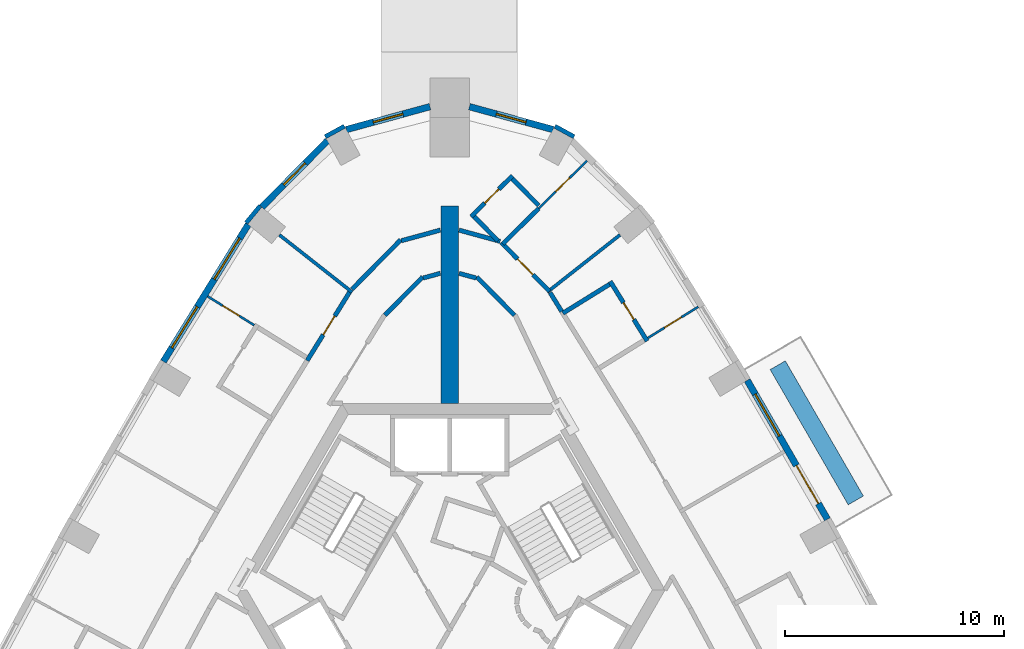
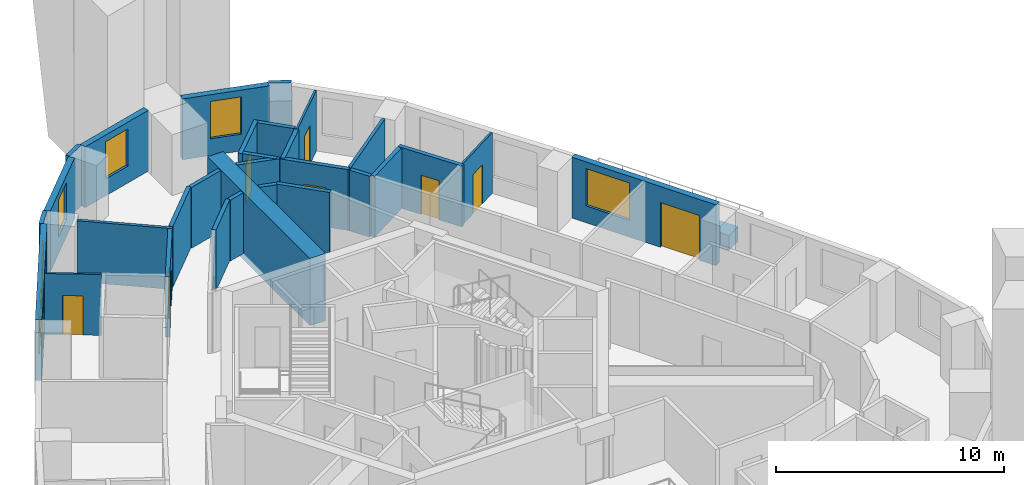
# One storey, part 8 of 11: 31 walls, 8 doors, 6 windows, 14 openings.
"""IFC4 building model written with IfcOpenShell, lengths in metres."""

from ifc_helpers import new_model, si_unit, direction, frame, frame_2d, origin, place, context, subcontext, project, spatial, rectangle, extrude, material, layer, layer_set, type_object, element, fill, save


model = new_model("IFC4")

# Units and contexts
model_context = context("Model", 3, precision=1e-05, world=origin(), true_north=direction((0.0, 1.0)))
body_context = subcontext(model_context, "Body", "Model", "MODEL_VIEW")
ifc_project = project(units=[si_unit("LENGTHUNIT", "METRE"), si_unit("AREAUNIT", "SQUARE_METRE"), si_unit("VOLUMEUNIT", "CUBIC_METRE"), si_unit("PLANEANGLEUNIT", "RADIAN"), si_unit("MASSUNIT", "GRAM", prefix="KILO")], contexts=[model_context])

# Site, building, storey
site_placement = place(None, origin())
site = spatial("IfcSite", under=ifc_project, at=site_placement, CompositionType="ELEMENT")
building_placement = place(site_placement, origin())
building = spatial("IfcBuilding", under=site, at=building_placement, Name="Entoto Arch Interchange Tower", CompositionType="ELEMENT")
storey_placement = place(building_placement, frame((0.0, 0.0, 297.199951171875)))
storey = spatial("IfcBuildingStorey", under=building, at=storey_placement, Name="L69", CompositionType="ELEMENT", Elevation=297.199951171875)

# Wall
ifc_material_1 = material(Name="Concrete C40/50", Category="concrete")
ifc_layer_1 = layer(ifc_material_1, 0.800048828125)
ifc_layer_set_1 = layer_set([ifc_layer_1], Name="Concrete C40/50")
wall_type_1 = type_object("IfcWallType", Name="Buttress wall 800 C40/50", PredefinedType="SHEAR", material=ifc_layer_set_1)
wall_1_placement = place(storey_placement, frame((0.0, 11.0, -0.33984375), z_axis=(0.0, 0.0, 1.0), x_axis=(0.0, 1.0, 0.0)))
element("IfcWall", 1, at=wall_1_placement, inside=storey, type_object=wall_type_1, Name="Buttress wall N L69", PredefinedType="SHEAR", context=body_context, shape_type="SweptSolid", body=[
    extrude(rectangle(XDim=9.0, YDim=0.800048828125, at=frame_2d((4.5, 0.0))), origin(), (0.0, 0.0, 1.0), 3.599853515625),
])

# Wall, opening, door
ifc_material_2 = material(Name="Gypsum board partition on steel studs", Category="steel")
ifc_layer_2 = layer(ifc_material_2, 0.10009765625)
ifc_layer_set_2 = layer_set([ifc_layer_2], Name="Gypsum board partition on steel studs")
wall_type_2 = type_object("IfcWallType", Name="PARTITION 100", PredefinedType="PARTITIONING", material=ifc_layer_set_2)
wall_2_placement = place(storey_placement, frame((9.031005859375, 13.97900390625, 0.0), z_axis=(0.0, 0.0, 1.0), x_axis=(0.85032680557, 0.526254998768, 0.0)))
wall_2 = element("IfcWall", 2, at=wall_2_placement, inside=storey, type_object=wall_type_2, Name="wall:L69:p104", PredefinedType="PARTITIONING", context=body_context, shape_type="SweptSolid", body=[
    extrude(rectangle(XDim=2.699951171875, YDim=0.10009765625, at=frame_2d((1.35009765625, 0.0))), origin(), (0.0, 0.0, 1.0), 3.260009765625),
])
opening_1_placement = place(wall_2_placement, frame((0.89990234375, 0.0, 0.0)))
opening_1 = element("IfcOpeningElement", 3, at=opening_1_placement, cuts=wall_2, Name="Opening L69-D10", PredefinedType="OPENING", context=body_context, shape_type="SweptSolid", body=[
    extrude(rectangle(XDim=0.89990234375, YDim=2.10009765625, at=frame_2d((0.449951171875, 1.050048828125))), frame((0.0, 0.06005859375, 0.0), z_axis=(0.0, -1.0, 0.0), x_axis=(1.0, 0.0, 0.0)), (0.0, 0.0, 1.0), 0.1201171875),
])
ifc_material_3 = material(Name="Timber door leaf in Steel S235 frame", Category="steel")
door_type_1 = type_object("IfcDoorType", Name="DOOR DS-09 900x2100", OperationType="SINGLE_SWING_LEFT", PredefinedType="DOOR", material=ifc_material_3)
door_1_placement = place(opening_1_placement, origin())
door_1 = element("IfcDoor", 4, at=door_1_placement, inside=storey, type_object=door_type_1, Name="door:L69:10", OperationType="SINGLE_SWING_LEFT", OverallHeight=2.10009765625, OverallWidth=0.89990234375, PredefinedType="DOOR", context=body_context, shape_type="SweptSolid", body=[
    extrude(rectangle(XDim=0.89990234375, YDim=2.10009765625, at=frame_2d((0.449951171875, 1.050048828125))), frame((0.0, 0.02490234375, 0.0), z_axis=(0.0, -1.0, 0.0), x_axis=(1.0, 0.0, 0.0)), (0.0, 0.0, 1.0), 0.050048828125),
])
fill(opening_1, door_1)

wall_3_placement = place(storey_placement, frame((4.052978515625, 19.881103515625, 0.0), z_axis=(0.0, 0.0, 1.0), x_axis=(0.711776071152, 0.702406452516, 0.0)))
wall_3 = element("IfcWall", 5, at=wall_3_placement, inside=storey, type_object=wall_type_2, Name="wall:L69:p109", PredefinedType="PARTITIONING", context=body_context, shape_type="SweptSolid", body=[
    extrude(rectangle(XDim=3.100830078125, YDim=0.10009765625, at=frame_2d((1.55029296875, 0.0))), origin(), (0.0, 0.0, 1.0), 3.260009765625),
])
opening_2_placement = place(wall_3_placement, frame((1.10009765625, 0.0, 0.0)))
opening_2 = element("IfcOpeningElement", 6, at=opening_2_placement, cuts=wall_3, Name="Opening L69-D13", PredefinedType="OPENING", context=body_context, shape_type="SweptSolid", body=[
    extrude(rectangle(XDim=0.89990234375, YDim=2.10009765625, at=frame_2d((0.449951171875, 1.050048828125))), frame((0.0, 0.06005859375, 0.0), z_axis=(0.0, -1.0, 0.0), x_axis=(1.0, 0.0, 0.0)), (0.0, 0.0, 1.0), 0.1201171875),
])
door_2_placement = place(opening_2_placement, origin())
door_2 = element("IfcDoor", 7, at=door_2_placement, inside=storey, type_object=door_type_1, Name="door:L69:13", OperationType="SINGLE_SWING_LEFT", OverallHeight=2.10009765625, OverallWidth=0.89990234375, PredefinedType="DOOR", context=body_context, shape_type="SweptSolid", body=[
    extrude(rectangle(XDim=0.89990234375, YDim=2.10009765625, at=frame_2d((0.449951171875, 1.050048828125))), frame((0.0, 0.02490234375, 0.0), z_axis=(0.0, -1.0, 0.0), x_axis=(1.0, 0.0, 0.0)), (0.0, 0.0, 1.0), 0.050048828125),
])
fill(opening_2, door_2)

wall_4_placement = place(storey_placement, frame((-8.906005859375, 14.56201171875, 0.0), z_axis=(0.0, 0.0, 1.0), x_axis=(-0.850186034224, 0.526482390219, 0.0)))
wall_4 = element("IfcWall", 8, at=wall_4_placement, inside=storey, type_object=wall_type_2, Name="wall:L69:p115", PredefinedType="PARTITIONING", context=body_context, shape_type="SweptSolid", body=[
    extrude(rectangle(XDim=2.49951171875, YDim=0.10009765625, at=frame_2d((1.249755859375, 0.0))), origin(), (0.0, 0.0, 1.0), 3.260009765625),
])
opening_3_placement = place(wall_4_placement, frame((0.800048828125, 0.0, 0.0)))
opening_3 = element("IfcOpeningElement", 9, at=opening_3_placement, cuts=wall_4, Name="Opening L69-D16", PredefinedType="OPENING", context=body_context, shape_type="SweptSolid", body=[
    extrude(rectangle(XDim=0.89990234375, YDim=2.10009765625, at=frame_2d((0.449951171875, 1.050048828125))), frame((0.0, 0.06005859375, 0.0), z_axis=(0.0, -1.0, 0.0), x_axis=(1.0, 0.0, 0.0)), (0.0, 0.0, 1.0), 0.1201171875),
])
door_3_placement = place(opening_3_placement, origin())
door_3 = element("IfcDoor", 10, at=door_3_placement, inside=storey, type_object=door_type_1, Name="door:L69:16", OperationType="SINGLE_SWING_LEFT", OverallHeight=2.10009765625, OverallWidth=0.89990234375, PredefinedType="DOOR", context=body_context, shape_type="SweptSolid", body=[
    extrude(rectangle(XDim=0.89990234375, YDim=2.10009765625, at=frame_2d((0.449951171875, 1.050048828125))), frame((0.0, 0.02490234375, 0.0), z_axis=(0.0, -1.0, 0.0), x_axis=(1.0, 0.0, 0.0)), (0.0, 0.0, 1.0), 0.050048828125),
])
fill(opening_3, door_3)

# Walls
ifc_layer_3 = layer(ifc_material_2, 0.14990234375)
ifc_layer_set_3 = layer_set([ifc_layer_3], Name="Gypsum board partition on steel studs")
wall_type_3 = type_object("IfcWallType", Name="PARTITION 150", PredefinedType="PARTITIONING", material=ifc_layer_set_3)
for number, where, z_axis, x_axis, name in (
    (11, (4.445068359375, 16.068115234375, 0.0), (0.0, 0.0, 1.0), (0.785872006963, 0.618389188677, 0.0), "wall:L69:p108"),
    (12, (-4.445068359375, 16.068115234375, 0.0), (0.0, 0.0, 1.0), (-0.785872006963, 0.618389188677, 0.0), "wall:L69:p114"),
):
    element("IfcWall", number, at=place(storey_placement, frame(where, z_axis=z_axis, x_axis=x_axis)), inside=storey, type_object=wall_type_3, Name=name, PredefinedType="PARTITIONING", context=body_context, shape_type="SweptSolid", body=[
        extrude(rectangle(XDim=4.215576171875, YDim=0.14990234375, at=frame_2d((2.10791015625, 0.0))), origin(), (0.0, 0.0, 1.0), 3.260009765625),
    ])
ifc_layer_4 = layer(ifc_material_2, 0.199951171875)
ifc_layer_set_4 = layer_set([ifc_layer_4], Name="Gypsum board partition on steel studs")
wall_type_4 = type_object("IfcWallType", Name="PARTITION 200", PredefinedType="PARTITIONING", material=ifc_layer_set_4)
wall_5_placement = place(storey_placement, frame((2.950927734375, 15.01904296875, 0.0), z_axis=(0.0, 0.0, 1.0), x_axis=(-0.702341227034, 0.711840432126, 0.0)))
element("IfcWall", 13, at=wall_5_placement, inside=storey, type_object=wall_type_4, Name="wall:L69:p006", PredefinedType="PARTITIONING", context=body_context, shape_type="SweptSolid", body=[
    extrude(rectangle(XDim=2.441650390625, YDim=0.199951171875, at=frame_2d((1.220703125, 0.0))), origin(), (0.0, 0.0, 1.0), 3.260009765625),
])
wall_6_placement = place(storey_placement, frame((1.208984375, 16.7119140625, 0.0), z_axis=(0.0, 0.0, 1.0), x_axis=(-0.964583129746, 0.26377904733, 0.0)))
element("IfcWall", 14, at=wall_6_placement, inside=storey, type_object=wall_type_4, Name="wall:L69:p007", PredefinedType="PARTITIONING", context=body_context, shape_type="SweptSolid", body=[
    extrude(rectangle(XDim=0.811767578125, YDim=0.199951171875, at=frame_2d((0.40576171875, 0.0))), origin(), (0.0, 0.0, 1.0), 3.260009765625),
])
wall_7_placement = place(storey_placement, frame((-0.426025390625, 16.927001953125, 0.0), z_axis=(0.0, 0.0, 1.0), x_axis=(-0.964276465753, -0.264897900321, 0.0)))
element("IfcWall", 15, at=wall_7_placement, inside=storey, type_object=wall_type_4, Name="wall:L69:p008", PredefinedType="PARTITIONING", context=body_context, shape_type="SweptSolid", body=[
    extrude(rectangle(XDim=0.81201171875, YDim=0.199951171875, at=frame_2d((0.406005859375, 0.0))), origin(), (0.0, 0.0, 1.0), 3.260009765625),
])
wall_8_placement = place(storey_placement, frame((-1.236083984375, 16.757080078125, 0.0), z_axis=(0.0, 0.0, 1.0), x_axis=(-0.702341227034, -0.711840432126, 0.0)))
element("IfcWall", 16, at=wall_8_placement, inside=storey, type_object=wall_type_4, Name="wall:L69:p009", PredefinedType="PARTITIONING", context=body_context, shape_type="SweptSolid", body=[
    extrude(rectangle(XDim=2.441650390625, YDim=0.199951171875, at=frame_2d((1.220703125, 0.0))), origin(), (0.0, 0.0, 1.0), 3.260009765625),
])
wall_9_placement = place(storey_placement, frame((4.576904296875, 16.044921875, 0.0), z_axis=(0.0, 0.0, 1.0), x_axis=(0.526203576349, -0.850358628014, 0.0)))
element("IfcWall", 17, at=wall_9_placement, inside=storey, type_object=wall_type_4, Name="wall:L69:p042", PredefinedType="PARTITIONING", context=body_context, shape_type="SweptSolid", body=[
    extrude(rectangle(XDim=1.001708984375, YDim=0.199951171875, at=frame_2d((0.5009765625, 0.0))), origin(), (0.0, 0.0, 1.0), 3.260009765625),
])

# Wall, opening, door
wall_10_placement = place(storey_placement, frame((2.345947265625, 18.3359375, 0.0), z_axis=(0.0, 0.0, 1.0), x_axis=(0.702481985573, -0.711701524479, 0.0)))
wall_10 = element("IfcWall", 18, at=wall_10_placement, inside=storey, type_object=wall_type_4, Name="wall:L69:p044", PredefinedType="PARTITIONING", context=body_context, shape_type="SweptSolid", body=[
    extrude(rectangle(XDim=3.124755859375, YDim=0.199951171875, at=frame_2d((1.5625, 0.0))), origin(), (0.0, 0.0, 1.0), 3.260009765625),
])
opening_4_placement = place(wall_10_placement, frame((1.06201171875, 0.0, 0.0)))
opening_4 = element("IfcOpeningElement", 19, at=opening_4_placement, cuts=wall_10, Name="Opening L69-D12", PredefinedType="OPENING", context=body_context, shape_type="SweptSolid", body=[
    extrude(rectangle(XDim=1.0, YDim=2.10009765625, at=frame_2d((0.5, 1.050048828125))), frame((0.0, 0.10986328125, 0.0), z_axis=(0.0, -1.0, 0.0), x_axis=(1.0, 0.0, 0.0)), (0.0, 0.0, 1.0), 0.219970703125),
])
ifc_material_4 = material(Name="Fire-rated Steel S235 door and frame", Category="steel")
door_type_2 = type_object("IfcDoorType", Name="DOOR FD-10 1000x2100", OperationType="SINGLE_SWING_LEFT", PredefinedType="DOOR", material=ifc_material_4)
door_4_placement = place(opening_4_placement, origin())
door_4 = element("IfcDoor", 20, at=door_4_placement, inside=storey, type_object=door_type_2, Name="door:L69:12", OperationType="SINGLE_SWING_LEFT", OverallHeight=2.10009765625, OverallWidth=1.0, PredefinedType="DOOR", context=body_context, shape_type="SweptSolid", body=[
    extrude(rectangle(XDim=1.0, YDim=2.10009765625, at=frame_2d((0.5, 1.050048828125))), frame((0.0, 0.02490234375, 0.0), z_axis=(0.0, -1.0, 0.0), x_axis=(1.0, 0.0, 0.0)), (0.0, 0.0, 1.0), 0.050048828125),
])
fill(opening_4, door_4)

# Walls
wall_11_placement = place(storey_placement, frame((-4.4541015625, 16.200927734375, 0.0), z_axis=(0.0, 0.0, 1.0), x_axis=(0.702505657511, 0.711678158415, 0.0)))
element("IfcWall", 21, at=wall_11_placement, inside=storey, type_object=wall_type_4, Name="wall:L69:p045", PredefinedType="PARTITIONING", context=body_context, shape_type="SweptSolid", body=[
    extrude(rectangle(XDim=3.16748046875, YDim=0.199951171875, at=frame_2d((1.583740234375, 0.0))), origin(), (0.0, 0.0, 1.0), 3.260009765625),
])
wall_12_placement = place(storey_placement, frame((-2.202880859375, 18.409912109375, 0.0), z_axis=(0.0, 0.0, 1.0), x_axis=(0.964423583418, 0.264361781934, 0.0)))
element("IfcWall", 22, at=wall_12_placement, inside=storey, type_object=wall_type_4, Name="wall:L69:p046", PredefinedType="PARTITIONING", context=body_context, shape_type="SweptSolid", body=[
    extrude(rectangle(XDim=1.84228515625, YDim=0.199951171875, at=frame_2d((0.921142578125, 0.0))), origin(), (0.0, 0.0, 1.0), 3.260009765625),
])
wall_13_placement = place(storey_placement, frame((0.426025390625, 18.89599609375, 0.0), z_axis=(0.0, 0.0, 1.0), x_axis=(0.964522741234, -0.263999775838, 0.0)))
element("IfcWall", 23, at=wall_13_placement, inside=storey, type_object=wall_type_4, Name="wall:L69:p047", PredefinedType="PARTITIONING", context=body_context, shape_type="SweptSolid", body=[
    extrude(rectangle(XDim=1.94287109375, YDim=0.199951171875, at=frame_2d((0.971435546875, 0.0))), origin(), (0.0, 0.0, 1.0), 3.260009765625),
])

# Wall, opening, door
wall_14_placement = place(storey_placement, frame((-6.492919921875, 12.949951171875, 0.0), z_axis=(0.0, 0.0, 1.0), x_axis=(0.526432748426, 0.850216773173, 0.0)))
wall_14 = element("IfcWall", 24, at=wall_14_placement, inside=storey, type_object=wall_type_4, Name="wall:L69:p048", PredefinedType="PARTITIONING", context=body_context, shape_type="SweptSolid", body=[
    extrude(rectangle(XDim=3.764892578125, YDim=0.199951171875, at=frame_2d((1.88232421875, 0.0))), origin(), (0.0, 0.0, 1.0), 3.260009765625),
])
opening_5_placement = place(wall_14_placement, frame((1.383056640625, 0.0, 0.0)))
opening_5 = element("IfcOpeningElement", 25, at=opening_5_placement, cuts=wall_14, Name="Opening L69-D15", PredefinedType="OPENING", context=body_context, shape_type="SweptSolid", body=[
    extrude(rectangle(XDim=1.0, YDim=2.10009765625, at=frame_2d((0.5, 1.050048828125))), frame((0.0, 0.10986328125, 0.0), z_axis=(0.0, -1.0, 0.0), x_axis=(1.0, 0.0, 0.0)), (0.0, 0.0, 1.0), 0.219970703125),
])
door_5_placement = place(opening_5_placement, origin())
door_5 = element("IfcDoor", 26, at=door_5_placement, inside=storey, type_object=door_type_2, Name="door:L69:15", OperationType="SINGLE_SWING_LEFT", OverallHeight=2.10009765625, OverallWidth=1.0, PredefinedType="DOOR", context=body_context, shape_type="SweptSolid", body=[
    extrude(rectangle(XDim=1.0, YDim=2.10009765625, at=frame_2d((0.5, 1.050048828125))), frame((0.0, 0.02490234375, 0.0), z_axis=(0.0, -1.0, 0.0), x_axis=(1.0, 0.0, 0.0)), (0.0, 0.0, 1.0), 0.050048828125),
])
fill(opening_5, door_5)

wall_15_placement = place(storey_placement, frame((8.9990234375, 13.841064453125, 0.0), z_axis=(0.0, 0.0, 1.0), x_axis=(-0.526283695852, 0.850309044689, 0.0)))
wall_15 = element("IfcWall", 27, at=wall_15_placement, inside=storey, type_object=wall_type_4, Name="wall:L69:p106", PredefinedType="PARTITIONING", context=body_context, shape_type="SweptSolid", body=[
    extrude(rectangle(XDim=3.199951171875, YDim=0.199951171875, at=frame_2d((1.60009765625, 0.0))), origin(), (0.0, 0.0, 1.0), 3.260009765625),
])
opening_6_placement = place(wall_15_placement, frame((1.14990234375, 0.0, 0.0)))
opening_6 = element("IfcOpeningElement", 28, at=opening_6_placement, cuts=wall_15, Name="Opening L69-D11", PredefinedType="OPENING", context=body_context, shape_type="SweptSolid", body=[
    extrude(rectangle(XDim=0.89990234375, YDim=2.10009765625, at=frame_2d((0.449951171875, 1.050048828125))), frame((0.0, 0.10986328125, 0.0), z_axis=(0.0, -1.0, 0.0), x_axis=(1.0, 0.0, 0.0)), (0.0, 0.0, 1.0), 0.219970703125),
])
door_6_placement = place(opening_6_placement, origin())
door_6 = element("IfcDoor", 29, at=door_6_placement, inside=storey, type_object=door_type_1, Name="door:L69:11", OperationType="SINGLE_SWING_RIGHT", OverallHeight=2.10009765625, OverallWidth=0.89990234375, PredefinedType="DOOR", context=body_context, shape_type="SweptSolid", body=[
    extrude(rectangle(XDim=0.89990234375, YDim=2.10009765625, at=frame_2d((0.449951171875, 1.050048828125))), frame((0.0, 0.02490234375, 0.0), z_axis=(0.0, -1.0, 0.0), x_axis=(1.0, 0.0, 0.0)), (0.0, 0.0, 1.0), 0.050048828125),
])
fill(opening_6, door_6)

# Walls
wall_16_placement = place(storey_placement, frame((7.281982421875, 16.424072265625, 0.0), z_axis=(0.0, 0.0, 1.0), x_axis=(-0.850142312258, -0.526552987751, 0.0)))
element("IfcWall", 30, at=wall_16_placement, inside=storey, type_object=wall_type_4, Name="wall:L69:p107", PredefinedType="PARTITIONING", context=body_context, shape_type="SweptSolid", body=[
    extrude(rectangle(XDim=2.49951171875, YDim=0.199951171875, at=frame_2d((1.249755859375, 0.0))), origin(), (0.0, 0.0, 1.0), 3.260009765625),
])
wall_17_placement = place(storey_placement, frame((2.416015625, 18.264892578125, 0.0), z_axis=(0.0, 0.0, 1.0), x_axis=(0.71207765541, 0.702100714047, 0.0)))
element("IfcWall", 31, at=wall_17_placement, inside=storey, type_object=wall_type_4, Name="wall:L69:p110", PredefinedType="PARTITIONING", context=body_context, shape_type="SweptSolid", body=[
    extrude(rectangle(XDim=2.30029296875, YDim=0.199951171875, at=frame_2d((1.150146484375, 0.0))), origin(), (0.0, 0.0, 1.0), 3.260009765625),
])
wall_18_placement = place(storey_placement, frame((4.053955078125, 20.02197265625, 0.0), z_axis=(0.0, 0.0, 1.0), x_axis=(-0.702351102688, 0.711830688123, 0.0)))
element("IfcWall", 32, at=wall_18_placement, inside=storey, type_object=wall_type_4, Name="wall:L69:p111", PredefinedType="PARTITIONING", context=body_context, shape_type="SweptSolid", body=[
    extrude(rectangle(XDim=1.69970703125, YDim=0.199951171875, at=frame_2d((0.849853515625, 0.0))), origin(), (0.0, 0.0, 1.0), 3.260009765625),
])

# Wall, opening, door
wall_19_placement = place(storey_placement, frame((2.861083984375, 21.3740234375, 0.0), z_axis=(0.0, 0.0, 1.0), x_axis=(-0.711606122075, -0.702578626934, 0.0)))
wall_19 = element("IfcWall", 33, at=wall_19_placement, inside=storey, type_object=wall_type_4, Name="wall:L69:p112", PredefinedType="PARTITIONING", context=body_context, shape_type="SweptSolid", body=[
    extrude(rectangle(XDim=2.650390625, YDim=0.199951171875, at=frame_2d((1.3251953125, 0.0))), origin(), (0.0, 0.0, 1.0), 3.260009765625),
])
opening_7_placement = place(wall_19_placement, frame((0.875, 0.0, 0.0)))
opening_7 = element("IfcOpeningElement", 34, at=opening_7_placement, cuts=wall_19, Name="Opening L69-D14", PredefinedType="OPENING", context=body_context, shape_type="SweptSolid", body=[
    extrude(rectangle(XDim=0.89990234375, YDim=2.10009765625, at=frame_2d((0.449951171875, 1.050048828125))), frame((0.0, 0.10986328125, 0.0), z_axis=(0.0, -1.0, 0.0), x_axis=(1.0, 0.0, 0.0)), (0.0, 0.0, 1.0), 0.219970703125),
])
door_7_placement = place(opening_7_placement, origin())
door_7 = element("IfcDoor", 35, at=door_7_placement, inside=storey, type_object=door_type_1, Name="door:L69:14", OperationType="SINGLE_SWING_LEFT", OverallHeight=2.10009765625, OverallWidth=0.89990234375, PredefinedType="DOOR", context=body_context, shape_type="SweptSolid", body=[
    extrude(rectangle(XDim=0.89990234375, YDim=2.10009765625, at=frame_2d((0.449951171875, 1.050048828125))), frame((0.0, 0.02490234375, 0.0), z_axis=(0.0, -1.0, 0.0), x_axis=(1.0, 0.0, 0.0)), (0.0, 0.0, 1.0), 0.050048828125),
])
fill(opening_7, door_7)

# Walls
wall_20_placement = place(storey_placement, frame((1.115966796875, 19.510986328125, 0.0), z_axis=(0.0, 0.0, 1.0), x_axis=(0.702515837086, -0.711668109896, 0.0)))
element("IfcWall", 36, at=wall_20_placement, inside=storey, type_object=wall_type_4, Name="wall:L69:p113", PredefinedType="PARTITIONING", context=body_context, shape_type="SweptSolid", body=[
    extrude(rectangle(XDim=1.547119140625, YDim=0.199951171875, at=frame_2d((0.7734375, 0.0))), origin(), (0.0, 0.0, 1.0), 3.260009765625),
])
ifc_material_5 = material(Name="Board-marked precast concrete C50/60", Category="concrete")
ifc_layer_5 = layer(ifc_material_5, 0.800048828125)
ifc_layer_set_5 = layer_set([ifc_layer_5], Name="Board-marked precast concrete C50/60")
wall_type_5 = type_object("IfcWallType", Name="PLANTER RC 800 Vachellia abyssinica", PredefinedType="STANDARD", material=ifc_layer_set_5)
wall_21_placement = place(storey_placement, frame((18.508056640625, 6.577880859375, 0.0), z_axis=(0.0, 0.0, 1.0), x_axis=(-0.500043210338, 0.866000454847, 0.0)))
element("IfcWall", 37, at=wall_21_placement, inside=storey, type_object=wall_type_5, Name="Planter NE-02 L69", PredefinedType="STANDARD", context=body_context, shape_type="SweptSolid", body=[
    extrude(rectangle(XDim=7.115478515625, YDim=0.800048828125, at=frame_2d((3.5576171875, 0.0))), origin(), (0.0, 0.0, 1.0), 0.800048828125),
])

# Wall, openings, door, window
ifc_material_6 = material(Name="Welded tuff (ignimbrite) cladding, warm buff", Category="masonry")
ifc_layer_6 = layer(ifc_material_6, 0.300048828125)
ifc_layer_set_6 = layer_set([ifc_layer_6], Name="Welded tuff (ignimbrite) cladding, warm buff")
wall_type_6 = type_object("IfcWallType", Name="STONE INFILL WALL 300", PredefinedType="STANDARD", material=ifc_layer_set_6)
wall_22_placement = place(storey_placement, frame((17.215087890625, 5.717041015625, 0.0), z_axis=(0.0, 0.0, 1.0), x_axis=(-0.499905472729, 0.866079972252, 0.0)))
wall_22 = element("IfcWall", 38, at=wall_22_placement, inside=storey, type_object=wall_type_6, Name="Facade wall NE-02 L69", PredefinedType="STANDARD", context=body_context, shape_type="SweptSolid", body=[
    extrude(rectangle(XDim=7.3134765625, YDim=0.300048828125, at=frame_2d((3.65673828125, 0.0))), origin(), (0.0, 0.0, 1.0), 3.260009765625),
])
opening_8_placement = place(wall_22_placement, frame((0.827880859375, 0.0, 0.0)))
opening_8 = element("IfcOpeningElement", 39, at=opening_8_placement, cuts=wall_22, Name="Opening DB-NE-02-L69", PredefinedType="OPENING", context=body_context, shape_type="SweptSolid", body=[
    extrude(rectangle(XDim=2.0, YDim=2.39990234375, at=frame_2d((1.0, 1.199951171875))), frame((0.0, 0.16015625, 0.0), z_axis=(0.0, -1.0, 0.0), x_axis=(1.0, 0.0, 0.0)), (0.0, 0.0, 1.0), 0.320068359375),
])
opening_9_placement = place(wall_22_placement, frame((4.385009765625, 0.0, 0.89990234375)))
opening_9 = element("IfcOpeningElement", 40, at=opening_9_placement, cuts=wall_22, Name="Opening WH-A", PredefinedType="OPENING", context=body_context, shape_type="SweptSolid", body=[
    extrude(rectangle(XDim=2.199951171875, YDim=2.0, at=frame_2d((1.10009765625, 1.0))), frame((0.0, 0.16015625, 0.0), z_axis=(0.0, -1.0, 0.0), x_axis=(1.0, 0.0, 0.0)), (0.0, 0.0, 1.0), 0.320068359375),
])
ifc_material_7 = material(Name="Aluminium and clear glass, anodised", Category="aluminium")
door_type_3 = type_object("IfcDoorType", Name="BALCONY DOOR DB 2000x2400", OperationType="SLIDING_TO_LEFT", PredefinedType="DOOR", material=ifc_material_7)
door_8_placement = place(opening_8_placement, origin())
door_8 = element("IfcDoor", 41, at=door_8_placement, inside=storey, type_object=door_type_3, Name="Balcony door NE-02 L69", OperationType="SLIDING_TO_LEFT", OverallHeight=2.39990234375, OverallWidth=2.0, PredefinedType="DOOR", context=body_context, shape_type="SweptSolid", body=[
    extrude(rectangle(XDim=2.0, YDim=2.39990234375, at=frame_2d((1.0, 1.199951171875))), frame((0.0, 0.02490234375, 0.0), z_axis=(0.0, -1.0, 0.0), x_axis=(1.0, 0.0, 0.0)), (0.0, 0.0, 1.0), 0.050048828125),
])
fill(opening_8, door_8)
ifc_material_8 = material(Name="Clear glass, low-e double glazed", Category="glass")
window_type_1 = type_object("IfcWindowType", Name="WINDOW WH-A 2200x2000", PartitioningType="DOUBLE_PANEL_VERTICAL", PredefinedType="WINDOW", material=ifc_material_8)
window_1_placement = place(opening_9_placement, origin())
window_1 = element("IfcWindow", 42, at=window_1_placement, inside=storey, type_object=window_type_1, Name="Window WH-A NE-02 L69", OverallHeight=2.0, OverallWidth=2.199951171875, PartitioningType="SINGLE_PANEL", PredefinedType="WINDOW", context=body_context, shape_type="SweptSolid", body=[
    extrude(rectangle(XDim=2.199951171875, YDim=2.0, at=frame_2d((1.10009765625, 1.0))), frame((0.0, 0.030029296875, 0.0), z_axis=(0.0, -1.0, 0.0), x_axis=(1.0, 0.0, 0.0)), (0.0, 0.0, 1.0), 0.06005859375),
])
fill(opening_9, window_1)

# Wall, opening, window
wall_23_placement = place(storey_placement, frame((4.712890625, 23.47705078125, 0.0), z_axis=(0.0, 0.0, 1.0), x_axis=(-0.964521196932, 0.264005417877, 0.0)))
wall_23 = element("IfcWall", 43, at=wall_23_placement, inside=storey, type_object=wall_type_6, Name="Facade wall N-02 L69", PredefinedType="STANDARD", context=body_context, shape_type="SweptSolid", body=[
    extrude(rectangle(XDim=3.954345703125, YDim=0.300048828125, at=frame_2d((1.97705078125, 0.0))), origin(), (0.0, 0.0, 1.0), 3.260009765625),
])
opening_10_placement = place(wall_23_placement, frame((1.277099609375, 0.0, 0.89990234375)))
opening_10 = element("IfcOpeningElement", 44, at=opening_10_placement, cuts=wall_23, Name="Opening WH-B", PredefinedType="OPENING", context=body_context, shape_type="SweptSolid", body=[
    extrude(rectangle(XDim=1.39990234375, YDim=2.0, at=frame_2d((0.699951171875, 1.0))), frame((0.0, 0.16015625, 0.0), z_axis=(0.0, -1.0, 0.0), x_axis=(1.0, 0.0, 0.0)), (0.0, 0.0, 1.0), 0.320068359375),
])
window_type_2 = type_object("IfcWindowType", Name="WINDOW WH-B 1400x2000", PartitioningType="DOUBLE_PANEL_VERTICAL", PredefinedType="WINDOW", material=ifc_material_8)
window_2_placement = place(opening_10_placement, origin())
window_2 = element("IfcWindow", 45, at=window_2_placement, inside=storey, type_object=window_type_2, Name="Window WH-B N-02 L69", OverallHeight=2.0, OverallWidth=1.39990234375, PartitioningType="SINGLE_PANEL", PredefinedType="WINDOW", context=body_context, shape_type="SweptSolid", body=[
    extrude(rectangle(XDim=1.39990234375, YDim=2.0, at=frame_2d((0.699951171875, 1.0))), frame((0.0, 0.030029296875, 0.0), z_axis=(0.0, -1.0, 0.0), x_axis=(1.0, 0.0, 0.0)), (0.0, 0.0, 1.0), 0.06005859375),
])
fill(opening_10, window_2)

wall_24_placement = place(storey_placement, frame((-0.89892578125, 24.52099609375, 0.0), z_axis=(0.0, 0.0, 1.0), x_axis=(-0.964521196932, -0.264005417877, 0.0)))
wall_24 = element("IfcWall", 46, at=wall_24_placement, inside=storey, type_object=wall_type_6, Name="Facade wall N-03 L69", PredefinedType="STANDARD", context=body_context, shape_type="SweptSolid", body=[
    extrude(rectangle(XDim=3.954345703125, YDim=0.300048828125, at=frame_2d((1.97705078125, 0.0))), origin(), (0.0, 0.0, 1.0), 3.260009765625),
])
opening_11_placement = place(wall_24_placement, frame((1.277099609375, 0.0, 0.89990234375)))
opening_11 = element("IfcOpeningElement", 47, at=opening_11_placement, cuts=wall_24, Name="Opening WH-B", PredefinedType="OPENING", context=body_context, shape_type="SweptSolid", body=[
    extrude(rectangle(XDim=1.39990234375, YDim=2.0, at=frame_2d((0.699951171875, 1.0))), frame((0.0, 0.16015625, 0.0), z_axis=(0.0, -1.0, 0.0), x_axis=(1.0, 0.0, 0.0)), (0.0, 0.0, 1.0), 0.320068359375),
])
window_3_placement = place(opening_11_placement, origin())
window_3 = element("IfcWindow", 48, at=window_3_placement, inside=storey, type_object=window_type_2, Name="Window WH-B N-03 L69", OverallHeight=2.0, OverallWidth=1.39990234375, PartitioningType="SINGLE_PANEL", PredefinedType="WINDOW", context=body_context, shape_type="SweptSolid", body=[
    extrude(rectangle(XDim=1.39990234375, YDim=2.0, at=frame_2d((0.699951171875, 1.0))), frame((0.0, 0.030029296875, 0.0), z_axis=(0.0, -1.0, 0.0), x_axis=(1.0, 0.0, 0.0)), (0.0, 0.0, 1.0), 0.06005859375),
])
fill(opening_11, window_3)

wall_25_placement = place(storey_placement, frame((-5.572021484375, 22.968994140625, 0.0), z_axis=(0.0, 0.0, 1.0), x_axis=(-0.70250598769, -0.711677832491, 0.0)))
wall_25 = element("IfcWall", 49, at=wall_25_placement, inside=storey, type_object=wall_type_6, Name="Facade wall N-04 L69", PredefinedType="STANDARD", context=body_context, shape_type="SweptSolid", body=[
    extrude(rectangle(XDim=4.259033203125, YDim=0.300048828125, at=frame_2d((2.12939453125, 0.0))), origin(), (0.0, 0.0, 1.0), 3.260009765625),
])
opening_12_placement = place(wall_25_placement, frame((1.428955078125, 0.0, 0.89990234375)))
opening_12 = element("IfcOpeningElement", 50, at=opening_12_placement, cuts=wall_25, Name="Opening WH-B", PredefinedType="OPENING", context=body_context, shape_type="SweptSolid", body=[
    extrude(rectangle(XDim=1.39990234375, YDim=2.0, at=frame_2d((0.699951171875, 1.0))), frame((0.0, 0.16015625, 0.0), z_axis=(0.0, -1.0, 0.0), x_axis=(1.0, 0.0, 0.0)), (0.0, 0.0, 1.0), 0.320068359375),
])
window_4_placement = place(opening_12_placement, origin())
window_4 = element("IfcWindow", 51, at=window_4_placement, inside=storey, type_object=window_type_2, Name="Window WH-B N-04 L69", OverallHeight=2.0, OverallWidth=1.39990234375, PartitioningType="SINGLE_PANEL", PredefinedType="WINDOW", context=body_context, shape_type="SweptSolid", body=[
    extrude(rectangle(XDim=1.39990234375, YDim=2.0, at=frame_2d((0.699951171875, 1.0))), frame((0.0, 0.030029296875, 0.0), z_axis=(0.0, -1.0, 0.0), x_axis=(1.0, 0.0, 0.0)), (0.0, 0.0, 1.0), 0.06005859375),
])
fill(opening_12, window_4)

# Wall, openings, windows
wall_26_placement = place(storey_placement, frame((-9.179931640625, 19.153076171875, 0.0), z_axis=(0.0, 0.0, 1.0), x_axis=(-0.526409529565, -0.850231149267, 0.0)))
wall_26 = element("IfcWall", 52, at=wall_26_placement, inside=storey, type_object=wall_type_6, Name="Facade wall NW-01 L69", PredefinedType="STANDARD", context=body_context, shape_type="SweptSolid", body=[
    extrude(rectangle(XDim=7.346435546875, YDim=0.300048828125, at=frame_2d((3.67333984375, 0.0))), origin(), (0.0, 0.0, 1.0), 3.260009765625),
])
opening_13_placement = place(wall_26_placement, frame((0.737060546875, 0.0, 0.89990234375)))
opening_13 = element("IfcOpeningElement", 53, at=opening_13_placement, cuts=wall_26, Name="Opening WH-A", PredefinedType="OPENING", context=body_context, shape_type="SweptSolid", body=[
    extrude(rectangle(XDim=2.199951171875, YDim=2.0, at=frame_2d((1.10009765625, 1.0))), frame((0.0, 0.16015625, 0.0), z_axis=(0.0, -1.0, 0.0), x_axis=(1.0, 0.0, 0.0)), (0.0, 0.0, 1.0), 0.320068359375),
])
opening_14_placement = place(wall_26_placement, frame((4.409912109375, 0.0, 0.89990234375)))
opening_14 = element("IfcOpeningElement", 54, at=opening_14_placement, cuts=wall_26, Name="Opening WH-A", PredefinedType="OPENING", context=body_context, shape_type="SweptSolid", body=[
    extrude(rectangle(XDim=2.199951171875, YDim=2.0, at=frame_2d((1.10009765625, 1.0))), frame((0.0, 0.16015625, 0.0), z_axis=(0.0, -1.0, 0.0), x_axis=(1.0, 0.0, 0.0)), (0.0, 0.0, 1.0), 0.320068359375),
])
window_5_placement = place(opening_13_placement, origin())
window_5 = element("IfcWindow", 55, at=window_5_placement, inside=storey, type_object=window_type_1, Name="Window WH-A NW-01 L69", OverallHeight=2.0, OverallWidth=2.199951171875, PartitioningType="SINGLE_PANEL", PredefinedType="WINDOW", context=body_context, shape_type="SweptSolid", body=[
    extrude(rectangle(XDim=2.199951171875, YDim=2.0, at=frame_2d((1.10009765625, 1.0))), frame((0.0, 0.030029296875, 0.0), z_axis=(0.0, -1.0, 0.0), x_axis=(1.0, 0.0, 0.0)), (0.0, 0.0, 1.0), 0.06005859375),
])
fill(opening_13, window_5)
window_6_placement = place(opening_14_placement, origin())
window_6 = element("IfcWindow", 56, at=window_6_placement, inside=storey, type_object=window_type_1, Name="Window WH-A NW-01 L69", OverallHeight=2.0, OverallWidth=2.199951171875, PartitioningType="SINGLE_PANEL", PredefinedType="WINDOW", context=body_context, shape_type="SweptSolid", body=[
    extrude(rectangle(XDim=2.199951171875, YDim=2.0, at=frame_2d((1.10009765625, 1.0))), frame((0.0, 0.030029296875, 0.0), z_axis=(0.0, -1.0, 0.0), x_axis=(1.0, 0.0, 0.0)), (0.0, 0.0, 1.0), 0.06005859375),
])
fill(opening_14, window_6)

# Walls
ifc_layer_7 = layer(ifc_material_6, 0.199951171875)
ifc_layer_set_7 = layer_set([ifc_layer_7], Name="Welded tuff (ignimbrite) cladding, warm buff")
wall_type_7 = type_object("IfcWallType", Name="STONE PIER CLADDING 200", PredefinedType="STANDARD", material=ifc_layer_set_7)
for number, where, z_axis, x_axis, name in (
    (57, (5.672119140625, 23.14990234375, 0.0), (0.0, 0.0, 1.0), (-0.877895572914, 0.478852130681, 0.0), "Stone pier N1 L69"),
    (58, (-4.7939453125, 23.62890625, 0.0), (0.0, 0.0, 1.0), (-0.877895572914, -0.478852130681, 0.0), "Stone pier N3 L69"),
    (59, (-8.636962890625, 19.9990234375, 0.0), (0.0, 0.0, 1.0), (-0.635852688617, -0.771810441999, 0.0), "Stone pier NW01 L69"),
):
    element("IfcWall", number, at=place(storey_placement, frame(where, z_axis=z_axis, x_axis=x_axis)), inside=storey, type_object=wall_type_7, Name=name, PredefinedType="STANDARD", context=body_context, shape_type="SweptSolid", body=[
        extrude(rectangle(XDim=1.000244140625, YDim=0.199951171875, at=frame_2d((0.5, 0.0))), origin(), (0.0, 0.0, 1.0), 3.260009765625),
    ])

save(model, "model.ifc")
